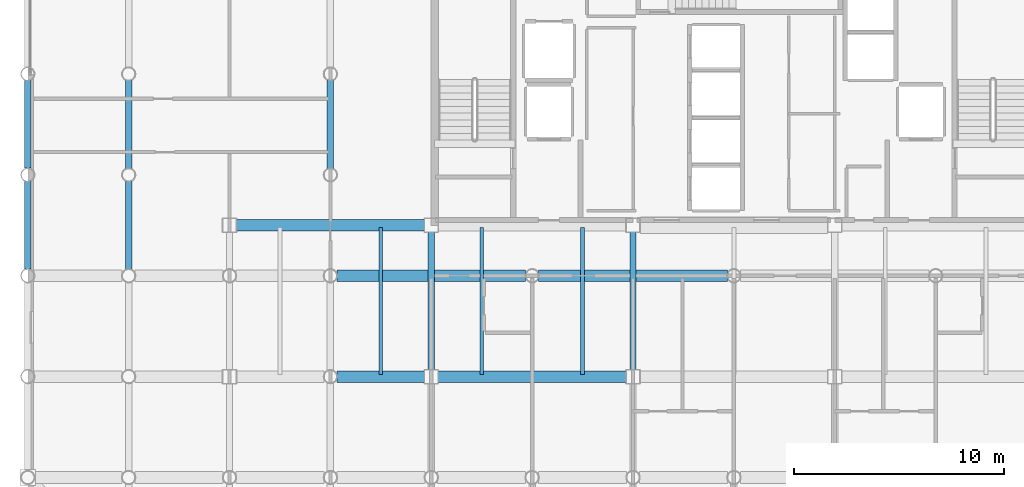
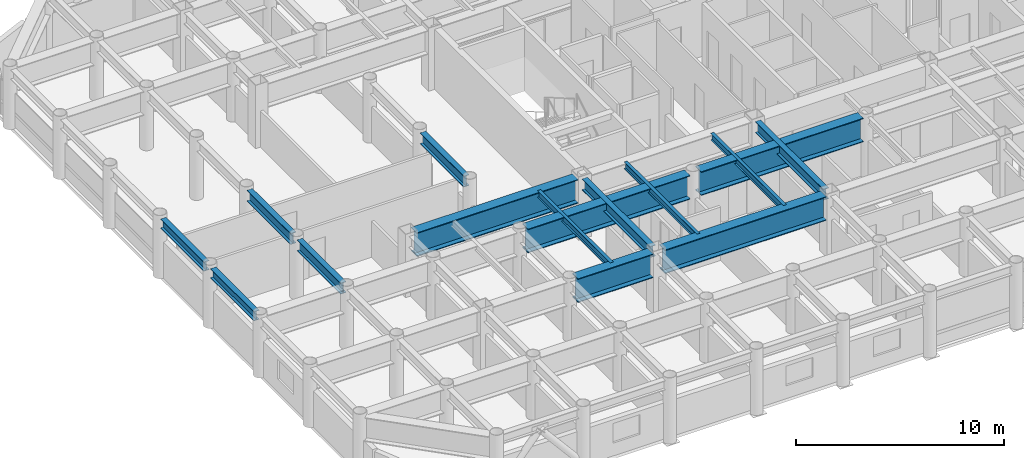
# One storey, part 4 of 22: 15 beams.
"""IFC4 building model written with IfcOpenShell, lengths in metres."""

from ifc_helpers import new_model, si_unit, direction, frame, origin, origin_2d, place, context, subcontext, project, spatial, i_section, extrude, material, material_profile, profile_set, type_object, element, save


model = new_model("IFC4")

# Units and contexts
model_context = context("Model", 3, precision=1e-05, world=origin(), true_north=direction((0.0, 1.0)))
body_context = subcontext(model_context, "Body", "Model", "MODEL_VIEW")
ifc_project = project(units=[si_unit("LENGTHUNIT", "METRE"), si_unit("AREAUNIT", "SQUARE_METRE"), si_unit("VOLUMEUNIT", "CUBIC_METRE"), si_unit("PLANEANGLEUNIT", "RADIAN"), si_unit("MASSUNIT", "GRAM", prefix="KILO")], contexts=[model_context])

# Site, building, storey
site_placement = place(None, origin())
site = spatial("IfcSite", under=ifc_project, at=site_placement, CompositionType="ELEMENT")
building_placement = place(site_placement, origin())
building = spatial("IfcBuilding", under=site, at=building_placement, Name="Kallvorn Hotel Tower", CompositionType="ELEMENT")
storey_placement = place(building_placement, frame((0.0, 0.0, 154.39990234375)))
storey = spatial("IfcBuildingStorey", under=building, at=storey_placement, Name="L38", CompositionType="ELEMENT", Elevation=154.39990234375)

# Beams
ifc_material_1 = material(Name="Structural steel S355JR", Category="steel")
ifc_material_profile_1 = material_profile(ifc_material_1, i_section(OverallWidth=0.300048828125, OverallDepth=0.550048828125, WebThickness=0.014892578125, FlangeThickness=0.029052734375, at=origin_2d()), Name="HE 550 B")
ifc_profile_set_1 = profile_set([ifc_material_profile_1], Name="Structural steel S355JR")
beam_type_1 = type_object("IfcBeamType", Name="BM_HE550B", PredefinedType="SPANDREL", material=ifc_profile_set_1)
for number, where, z_axis, x_axis, name in (
    (1, (-33.60009765625, -9.280029296875, 3.2451171875), (0.0, 1.0, 0.0), (-1.0, 0.0, 0.0), "L39 Perimeter Spandrel 176"),
    (2, (-33.60009765625, -4.47998046875, 3.2451171875), (0.0, 1.0, 0.0), (-1.0, 0.0, 0.0), "L39 Perimeter Spandrel 177"),
):
    element("IfcBeam", number, at=place(storey_placement, frame(where, z_axis=z_axis, x_axis=x_axis)), inside=storey, type_object=beam_type_1, Name=name, PredefinedType="SPANDREL", context=body_context, shape_type="SweptSolid", body=[
        extrude(i_section(OverallWidth=0.300048828125, OverallDepth=0.550048828125, WebThickness=0.014892578125, FlangeThickness=0.029052734375, at=origin_2d()), origin(), (0.0, 0.0, 1.0), 4.159912109375),
    ])
ifc_material_2 = material(Name="Structural steel S355JR", Category="steel")
ifc_material_profile_2 = material_profile(ifc_material_2, i_section(OverallWidth=0.300048828125, OverallDepth=0.64990234375, WebThickness=0.01611328125, FlangeThickness=0.031005859375, at=origin_2d()), Name="HE 650 B")
ifc_profile_set_2 = profile_set([ifc_material_profile_2], Name="Structural steel S355JR")
beam_type_2 = type_object("IfcBeamType", Name="BM_HE650B", PredefinedType="BEAM", material=ifc_profile_set_2)
beam_1_placement = place(storey_placement, frame((-28.800048828125, -9.294921875, 3.195068359375), z_axis=(0.0, 1.0, 0.0), x_axis=(-1.0, 0.0, 0.0)))
element("IfcBeam", 3, at=beam_1_placement, inside=storey, type_object=beam_type_2, Name="L39 Primary Y-Girder 76", PredefinedType="BEAM", context=body_context, shape_type="SweptSolid", body=[
    extrude(i_section(OverallWidth=0.300048828125, OverallDepth=0.64990234375, WebThickness=0.01611328125, FlangeThickness=0.031005859375, at=origin_2d()), origin(), (0.0, 0.0, 1.0), 4.18994140625),
])
for number, where, z_axis, x_axis, name in (
    (4, (-28.800048828125, -4.4951171875, 3.195068359375), (0.0, 1.0, 0.0), (-1.0, 0.0, 0.0), "L39 Primary Y-Girder 77"),
    (5, (-19.199951171875, -4.4951171875, 3.195068359375), (0.0, 1.0, 0.0), (-1.0, 0.0, 0.0), "L39 Primary Y-Girder 93"),
):
    element("IfcBeam", number, at=place(storey_placement, frame(where, z_axis=z_axis, x_axis=x_axis)), inside=storey, type_object=beam_type_2, Name=name, PredefinedType="BEAM", context=body_context, shape_type="SweptSolid", body=[
        extrude(i_section(OverallWidth=0.300048828125, OverallDepth=0.64990234375, WebThickness=0.01611328125, FlangeThickness=0.031005859375, at=origin_2d()), origin(), (0.0, 0.0, 1.0), 4.190185546875),
    ])
for number, where, z_axis, x_axis, name in (
    (6, (-14.39990234375, -14.074951171875, 3.195068359375), (0.0, 1.0, 0.0), (-1.0, 0.0, 0.0), "L39 Primary Y-Girder 100"),
    (7, (-4.800048828125, -14.074951171875, 3.195068359375), (0.0, 1.0, 0.0), (-1.0, 0.0, 0.0), "L39 Primary Y-Girder 108"),
):
    element("IfcBeam", number, at=place(storey_placement, frame(where, z_axis=z_axis, x_axis=x_axis)), inside=storey, type_object=beam_type_2, Name=name, PredefinedType="BEAM", context=body_context, shape_type="SweptSolid", body=[
        extrude(i_section(OverallWidth=0.300048828125, OverallDepth=0.64990234375, WebThickness=0.01611328125, FlangeThickness=0.031005859375, at=origin_2d()), origin(), (0.0, 0.0, 1.0), 6.550048828125),
    ])
ifc_material_3 = material(Name="Structural steel S355JR", Category="steel")
ifc_material_profile_3 = material_profile(ifc_material_3, i_section(OverallWidth=0.179931640625, OverallDepth=0.39990234375, WebThickness=0.008544921875, FlangeThickness=0.013427734375, at=origin_2d()), Name="IPE 400")
ifc_profile_set_3 = profile_set([ifc_material_profile_3], Name="Structural steel S355JR")
beam_type_3 = type_object("IfcBeamType", Name="BM_IPE400", PredefinedType="JOIST", material=ifc_profile_set_3)
for number, where, z_axis, x_axis, name in (
    (8, (-16.800048828125, -14.300048828125, 3.320068359375), (0.0, 1.0, 0.0), (-1.0, 0.0, 0.0), "L39 Secondary Composite Joist 194"),
    (9, (-12.0, -14.300048828125, 3.320068359375), (0.0, 1.0, 0.0), (-1.0, 0.0, 0.0), "L39 Secondary Composite Joist 196"),
    (10, (-7.199951171875, -14.300048828125, 3.320068359375), (0.0, 1.0, 0.0), (-1.0, 0.0, 0.0), "L39 Secondary Composite Joist 198"),
):
    element("IfcBeam", number, at=place(storey_placement, frame(where, z_axis=z_axis, x_axis=x_axis)), inside=storey, type_object=beam_type_3, Name=name, PredefinedType="JOIST", context=body_context, shape_type="SweptSolid", body=[
        extrude(i_section(OverallWidth=0.179931640625, OverallDepth=0.39990234375, WebThickness=0.008544921875, FlangeThickness=0.013427734375, at=origin_2d()), origin(), (0.0, 0.0, 1.0), 7.0),
    ])
ifc_material_4 = material(Name="Structural steel S355JR", Category="steel")
ifc_material_profile_4 = material_profile(ifc_material_4, i_section(OverallWidth=0.550048828125, OverallDepth=1.39990234375, WebThickness=0.02490234375, FlangeThickness=0.044921875, at=origin_2d()), Name="PG 1400x550x25x45")
ifc_profile_set_4 = profile_set([ifc_material_profile_4], Name="Structural steel S355JR")
beam_type_4 = type_object("IfcBeamType", Name="BM_PG_1400", PredefinedType="BEAM", material=ifc_profile_set_4)
beam_2_placement = place(storey_placement, frame((-18.89501953125, -14.39990234375, 2.820068359375), z_axis=(1.0, 0.0, 0.0), x_axis=(0.0, 1.0, 0.0)))
element("IfcBeam", 11, at=beam_2_placement, inside=storey, type_object=beam_type_4, Name="L39 Primary X-Girder 17", PredefinedType="BEAM", context=body_context, shape_type="SweptSolid", body=[
    extrude(i_section(OverallWidth=0.550048828125, OverallDepth=1.39990234375, WebThickness=0.02490234375, FlangeThickness=0.044921875, at=origin_2d()), origin(), (0.0, 0.0, 1.0), 4.169921875),
])
beam_3_placement = place(storey_placement, frame((-14.074951171875, -14.39990234375, 2.820068359375), z_axis=(1.0, 0.0, 0.0), x_axis=(0.0, 1.0, 0.0)))
element("IfcBeam", 12, at=beam_3_placement, inside=storey, type_object=beam_type_4, Name="L39 Primary X-Girder 18", PredefinedType="BEAM", context=body_context, shape_type="SweptSolid", body=[
    extrude(i_section(OverallWidth=0.550048828125, OverallDepth=1.39990234375, WebThickness=0.02490234375, FlangeThickness=0.044921875, at=origin_2d()), origin(), (0.0, 0.0, 1.0), 8.949951171875),
])
for number, where, z_axis, x_axis, name in (
    (13, (-18.89501953125, -9.60009765625, 2.820068359375), (1.0, 0.0, 0.0), (0.0, 1.0, 0.0), "L39 Primary X-Girder 27"),
    (14, (-9.294921875, -9.60009765625, 2.820068359375), (1.0, 0.0, 0.0), (0.0, 1.0, 0.0), "L39 Primary X-Girder 28"),
):
    element("IfcBeam", number, at=place(storey_placement, frame(where, z_axis=z_axis, x_axis=x_axis)), inside=storey, type_object=beam_type_4, Name=name, PredefinedType="BEAM", context=body_context, shape_type="SweptSolid", body=[
        extrude(i_section(OverallWidth=0.550048828125, OverallDepth=1.39990234375, WebThickness=0.02490234375, FlangeThickness=0.044921875, at=origin_2d()), origin(), (0.0, 0.0, 1.0), 8.989990234375),
    ])
beam_4_placement = place(storey_placement, frame((-23.675048828125, -7.199951171875, 2.820068359375), z_axis=(1.0, 0.0, 0.0), x_axis=(0.0, 1.0, 0.0)))
element("IfcBeam", 15, at=beam_4_placement, inside=storey, type_object=beam_type_4, Name="L39 Primary X-Girder 33", PredefinedType="BEAM", context=body_context, shape_type="SweptSolid", body=[
    extrude(i_section(OverallWidth=0.550048828125, OverallDepth=1.39990234375, WebThickness=0.02490234375, FlangeThickness=0.044921875, at=origin_2d()), origin(), (0.0, 0.0, 1.0), 8.949951171875),
])

save(model, "model.ifc")
